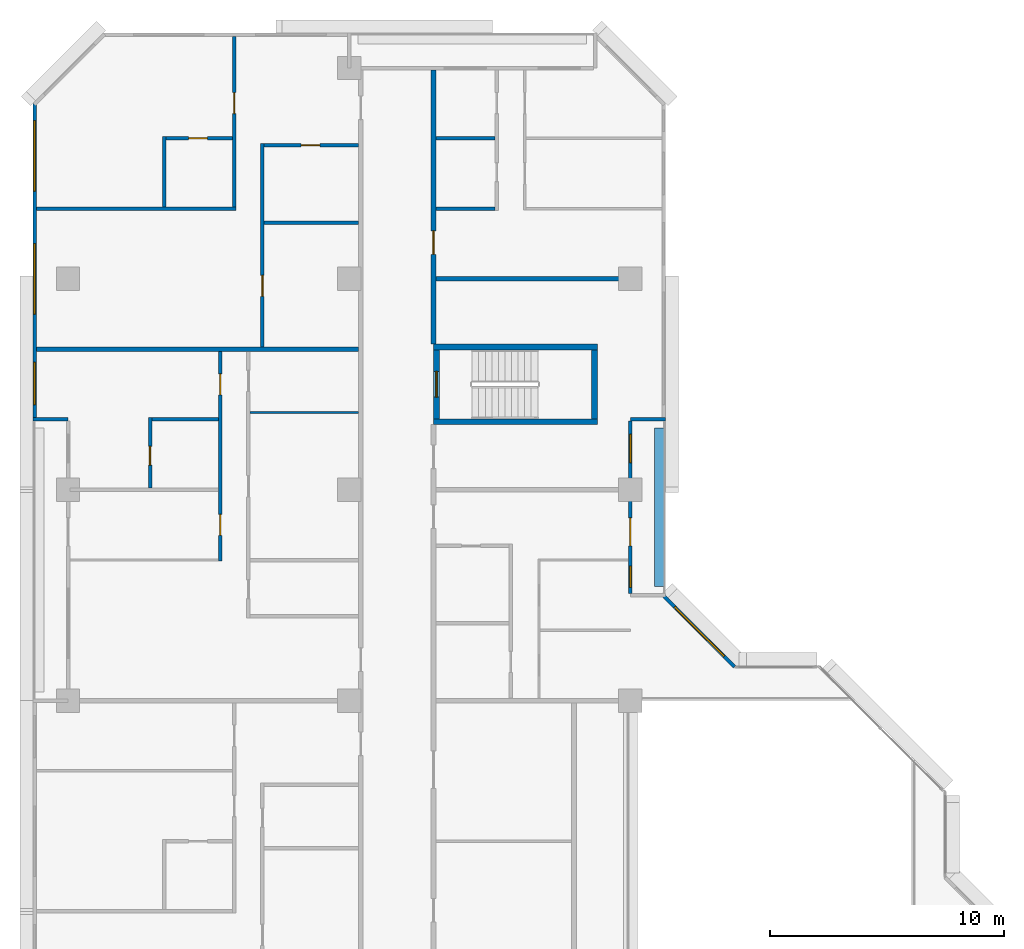
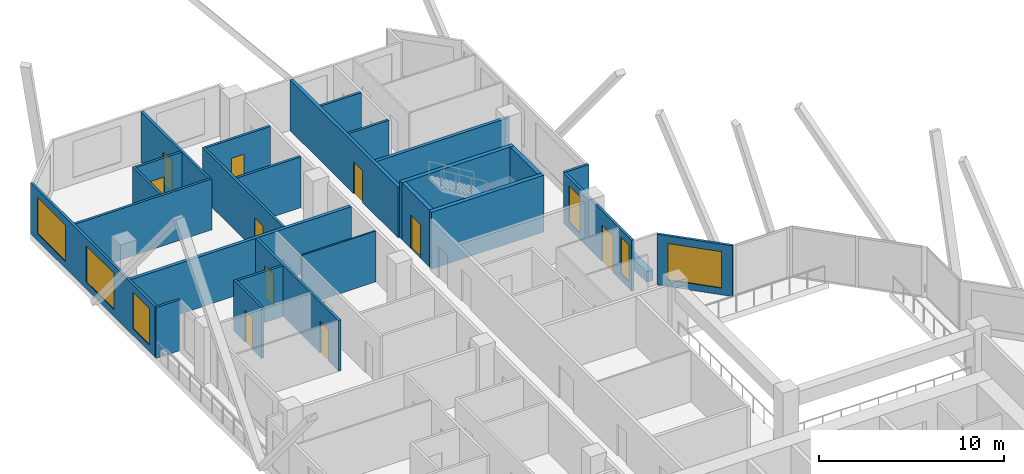
# One storey, part 10 of 15: 26 walls, 10 doors, 6 windows, 16 openings.
"""IFC4 building model written with IfcOpenShell, lengths in metres."""

from ifc_helpers import new_model, si_unit, direction, frame, frame_2d, origin, place, context, subcontext, project, spatial, rectangle, extrude, material, layer, layer_set, type_object, element, fill, save


model = new_model("IFC4")

# Units and contexts
model_context = context("Model", 3, precision=1e-05, world=origin(), true_north=direction((0.0, 1.0)))
body_context = subcontext(model_context, "Body", "Model", "MODEL_VIEW")
ifc_project = project(units=[si_unit("LENGTHUNIT", "METRE"), si_unit("AREAUNIT", "SQUARE_METRE"), si_unit("VOLUMEUNIT", "CUBIC_METRE"), si_unit("PLANEANGLEUNIT", "RADIAN"), si_unit("MASSUNIT", "GRAM", prefix="KILO")], contexts=[model_context])

# Site, building, storey
site_placement = place(None, origin())
site = spatial("IfcSite", under=ifc_project, at=site_placement, CompositionType="ELEMENT")
building_placement = place(site_placement, origin())
building = spatial("IfcBuilding", under=site, at=building_placement, Name="Chenar Terraces", CompositionType="ELEMENT")
storey_placement = place(building_placement, frame((0.0, 0.0, 129.39990234375)))
storey = spatial("IfcBuildingStorey", under=building, at=storey_placement, Name="L30", CompositionType="ELEMENT", Elevation=129.39990234375)

# Walls
ifc_material_1 = material(Name="Concrete C70/85", Category="concrete")
ifc_layer_1 = layer(ifc_material_1, 0.25)
ifc_layer_set_1 = layer_set([ifc_layer_1], Name="Concrete C70/85")
wall_type_1 = type_object("IfcWallType", Name="Core wall 250 Concrete C70/85", PredefinedType="SHEAR", material=ifc_layer_set_1)
for number, where, z_axis, x_axis, name in (
    (1, (15.60009765625, 47.89990234375, 0.0), (0.0, 0.0, 1.0), (1.0, 0.0, 0.0), "Core wall ST4_S L30"),
    (2, (15.60009765625, 51.10009765625, 0.0), (0.0, 0.0, 1.0), (1.0, 0.0, 0.0), "Core wall ST4_N L30"),
):
    element("IfcWall", number, at=place(storey_placement, frame(where, z_axis=z_axis, x_axis=x_axis)), inside=storey, type_object=wall_type_1, Name=name, PredefinedType="SHEAR", context=body_context, shape_type="SweptSolid", body=[
        extrude(rectangle(XDim=7.0, YDim=0.25, at=frame_2d((3.5, 0.0))), origin(), (0.0, 0.0, 1.0), 3.75),
    ])

# Wall, opening, door
wall_1_placement = place(storey_placement, frame((15.72509765625, 48.02490234375, 0.0), z_axis=(0.0, 0.0, 1.0), x_axis=(0.0, 1.0, 0.0)))
wall_1 = element("IfcWall", 3, at=wall_1_placement, inside=storey, type_object=wall_type_1, Name="Core wall ST4_W L30", PredefinedType="SHEAR", context=body_context, shape_type="SweptSolid", body=[
    extrude(rectangle(XDim=2.9501953125, YDim=0.25, at=frame_2d((1.47509765625, 0.0))), origin(), (0.0, 0.0, 1.0), 3.75),
])
opening_1_placement = place(wall_1_placement, frame((0.925048828125, 0.0, 0.0)))
opening_1 = element("IfcOpeningElement", 4, at=opening_1_placement, cuts=wall_1, Name="Opening DL30-C9", PredefinedType="OPENING", context=body_context, shape_type="SweptSolid", body=[
    extrude(rectangle(XDim=1.10009765625, YDim=2.199951171875, at=frame_2d((0.550048828125, 1.10009765625))), frame((0.0, 0.135009765625, 0.0), z_axis=(0.0, -1.0, 0.0), x_axis=(1.0, 0.0, 0.0)), (0.0, 0.0, 1.0), 0.27001953125),
])
ifc_material_2 = material(Name="Steel-framed fire-resisting door leaf", Category="steel")
door_type_1 = type_object("IfcDoorType", Name="Stair fire door FD60 1100 x 2200", OperationType="SINGLE_SWING_LEFT", PredefinedType="DOOR", material=ifc_material_2)
door_1_placement = place(opening_1_placement, frame((1.10009765625, 0.0, 0.0), z_axis=(0.0, 0.0, 1.0), x_axis=(-1.0, 0.0, 0.0)))
door_1 = element("IfcDoor", 5, at=door_1_placement, inside=storey, type_object=door_type_1, Name="Stair door DL30-C9", OperationType="SINGLE_SWING_RIGHT", OverallHeight=2.199951171875, OverallWidth=1.10009765625, PredefinedType="DOOR", context=body_context, shape_type="SweptSolid", body=[
    extrude(rectangle(XDim=1.10009765625, YDim=2.199951171875, at=frame_2d((0.550048828125, 1.10009765625))), frame((0.0, 0.02490234375, 0.0), z_axis=(0.0, -1.0, 0.0), x_axis=(1.0, 0.0, 0.0)), (0.0, 0.0, 1.0), 0.050048828125),
])
fill(opening_1, door_1)

# Wall
wall_2_placement = place(storey_placement, frame((22.47509765625, 48.02490234375, 0.0), z_axis=(0.0, 0.0, 1.0), x_axis=(0.0, 1.0, 0.0)))
element("IfcWall", 6, at=wall_2_placement, inside=storey, type_object=wall_type_1, Name="Core wall ST4_E L30", PredefinedType="SHEAR", context=body_context, shape_type="SweptSolid", body=[
    extrude(rectangle(XDim=2.9501953125, YDim=0.25, at=frame_2d((1.47509765625, 0.0))), origin(), (0.0, 0.0, 1.0), 3.75),
])

# Wall, opening, door
ifc_material_3 = material(Name="Gypsum board on steel studs with fire boards", Category="steel")
ifc_layer_2 = layer(ifc_material_3, 0.199951171875)
ifc_layer_set_2 = layer_set([ifc_layer_2], Name="Gypsum board on steel studs with fire boards")
wall_type_2 = type_object("IfcWallType", Name="Corridor wall 200", PredefinedType="PARTITIONING", material=ifc_layer_set_2)
wall_3_placement = place(storey_placement, frame((15.60009765625, 51.22509765625, 0.0), z_axis=(0.0, 0.0, 1.0), x_axis=(0.0, 1.0, 0.0)))
wall_3 = element("IfcWall", 7, at=wall_3_placement, inside=storey, type_object=wall_type_2, Name="Partition L30-038", PredefinedType="PARTITIONING", context=body_context, shape_type="SweptSolid", body=[
    extrude(rectangle(XDim=11.700927734375, YDim=0.199951171875, at=frame_2d((5.8505859375, 0.0))), origin(), (0.0, 0.0, 1.0), 3.35009765625),
])
opening_2_placement = place(wall_3_placement, frame((3.824951171875, 0.0, 0.0)))
opening_2 = element("IfcOpeningElement", 8, at=opening_2_placement, cuts=wall_3, Name="Opening DL30-37", PredefinedType="OPENING", context=body_context, shape_type="SweptSolid", body=[
    extrude(rectangle(XDim=1.0, YDim=2.10009765625, at=frame_2d((0.5, 1.050048828125))), frame((0.0, 0.10986328125, 0.0), z_axis=(0.0, -1.0, 0.0), x_axis=(1.0, 0.0, 0.0)), (0.0, 0.0, 1.0), 0.219970703125),
])
ifc_material_4 = material(Name="Steel-framed fire-resisting door leaf", Category="steel")
door_type_2 = type_object("IfcDoorType", Name="Fire door FD30S 1000 x 2100", OperationType="SINGLE_SWING_LEFT", PredefinedType="DOOR", material=ifc_material_4)
door_2_placement = place(opening_2_placement, frame((1.0, 0.0, 0.0), z_axis=(0.0, 0.0, 1.0), x_axis=(-1.0, 0.0, 0.0)))
door_2 = element("IfcDoor", 9, at=door_2_placement, inside=storey, type_object=door_type_2, Name="Door DL30-37", OperationType="SINGLE_SWING_LEFT", OverallHeight=2.10009765625, OverallWidth=1.0, PredefinedType="DOOR", context=body_context, shape_type="SweptSolid", body=[
    extrude(rectangle(XDim=1.0, YDim=2.10009765625, at=frame_2d((0.5, 1.050048828125))), frame((0.0, 0.02490234375, 0.0), z_axis=(0.0, -1.0, 0.0), x_axis=(1.0, 0.0, 0.0)), (0.0, 0.0, 1.0), 0.050048828125),
])
fill(opening_2, door_2)

# Wall, openings, windows
ifc_material_5 = material(Name="Aluminium framed glazing", Category="aluminium")
ifc_layer_3 = layer(ifc_material_5, 0.14990234375)
ifc_layer_set_3 = layer_set([ifc_layer_3], Name="Aluminium framed glazing")
wall_type_3 = type_object("IfcWallType", Name="Glazed flush facade wall 150", PredefinedType="SOLIDWALL", material=ifc_layer_set_3)
wall_4_placement = place(storey_placement, frame((-1.425048828125, 61.5, 0.0), z_axis=(0.0, 0.0, 1.0), x_axis=(0.0, -1.0, 0.0)))
wall_4 = element("IfcWall", 10, at=wall_4_placement, inside=storey, type_object=wall_type_3, Name="Glazed flush facade wall", PredefinedType="SOLIDWALL", context=body_context, shape_type="SweptSolid", body=[
    extrude(rectangle(XDim=13.425048828125, YDim=0.14990234375, at=frame_2d((6.71240234375, 0.0))), origin(), (0.0, 0.0, 1.0), 3.35009765625),
])
opening_3_placement = place(wall_4_placement, frame((0.75, 0.0, 0.449951171875)))
opening_3 = element("IfcOpeningElement", 11, at=opening_3_placement, cuts=wall_4, Name="Opening W300x240", PredefinedType="OPENING", context=body_context, shape_type="SweptSolid", body=[
    extrude(rectangle(XDim=3.0, YDim=2.39990234375, at=frame_2d((1.5, 1.199951171875))), frame((0.0, 0.0849609375, 0.0), z_axis=(0.0, -1.0, 0.0), x_axis=(1.0, 0.0, 0.0)), (0.0, 0.0, 1.0), 0.169921875),
])
opening_4_placement = place(wall_4_placement, frame((6.0, 0.0, 0.449951171875)))
opening_4 = element("IfcOpeningElement", 12, at=opening_4_placement, cuts=wall_4, Name="Opening W300x240", PredefinedType="OPENING", context=body_context, shape_type="SweptSolid", body=[
    extrude(rectangle(XDim=3.0, YDim=2.39990234375, at=frame_2d((1.5, 1.199951171875))), frame((0.0, 0.0849609375, 0.0), z_axis=(0.0, -1.0, 0.0), x_axis=(1.0, 0.0, 0.0)), (0.0, 0.0, 1.0), 0.169921875),
])
opening_5_placement = place(wall_4_placement, frame((11.0625, 0.0, 0.449951171875)))
opening_5 = element("IfcOpeningElement", 13, at=opening_5_placement, cuts=wall_4, Name="Opening W180x240", PredefinedType="OPENING", context=body_context, shape_type="SweptSolid", body=[
    extrude(rectangle(XDim=1.800048828125, YDim=2.39990234375, at=frame_2d((0.89990234375, 1.199951171875))), frame((0.0, 0.0849609375, 0.0), z_axis=(0.0, -1.0, 0.0), x_axis=(1.0, 0.0, 0.0)), (0.0, 0.0, 1.0), 0.169921875),
])
ifc_material_6 = material(Name="Low emissivity double glazing, aluminium frame", Category="aluminium")
window_type_1 = type_object("IfcWindowType", Name="Fixed light 1800 x 2400", PartitioningType="SINGLE_PANEL", PredefinedType="WINDOW", material=ifc_material_6)
window_1_placement = place(opening_5_placement, origin())
window_1 = element("IfcWindow", 14, at=window_1_placement, inside=storey, type_object=window_type_1, Name="Window", OverallHeight=2.39990234375, OverallWidth=1.800048828125, PartitioningType="SINGLE_PANEL", PredefinedType="WINDOW", context=body_context, shape_type="SweptSolid", body=[
    extrude(rectangle(XDim=1.800048828125, YDim=2.39990234375, at=frame_2d((0.89990234375, 1.199951171875))), frame((0.0, 0.030029296875, 0.0), z_axis=(0.0, -1.0, 0.0), x_axis=(1.0, 0.0, 0.0)), (0.0, 0.0, 1.0), 0.06005859375),
])
fill(opening_5, window_1)
ifc_material_7 = material(Name="Low emissivity double glazing, aluminium frame", Category="aluminium")
window_type_2 = type_object("IfcWindowType", Name="Fixed light 3000 x 2400", PartitioningType="SINGLE_PANEL", PredefinedType="WINDOW", material=ifc_material_7)
window_2_placement = place(opening_3_placement, origin())
window_2 = element("IfcWindow", 15, at=window_2_placement, inside=storey, type_object=window_type_2, Name="Window", OverallHeight=2.39990234375, OverallWidth=3.0, PartitioningType="SINGLE_PANEL", PredefinedType="WINDOW", context=body_context, shape_type="SweptSolid", body=[
    extrude(rectangle(XDim=3.0, YDim=2.39990234375, at=frame_2d((1.5, 1.199951171875))), frame((0.0, 0.030029296875, 0.0), z_axis=(0.0, -1.0, 0.0), x_axis=(1.0, 0.0, 0.0)), (0.0, 0.0, 1.0), 0.06005859375),
])
fill(opening_3, window_2)
window_3_placement = place(opening_4_placement, origin())
window_3 = element("IfcWindow", 16, at=window_3_placement, inside=storey, type_object=window_type_2, Name="Window", OverallHeight=2.39990234375, OverallWidth=3.0, PartitioningType="SINGLE_PANEL", PredefinedType="WINDOW", context=body_context, shape_type="SweptSolid", body=[
    extrude(rectangle(XDim=3.0, YDim=2.39990234375, at=frame_2d((1.5, 1.199951171875))), frame((0.0, 0.030029296875, 0.0), z_axis=(0.0, -1.0, 0.0), x_axis=(1.0, 0.0, 0.0)), (0.0, 0.0, 1.0), 0.06005859375),
])
fill(opening_4, window_3)

# Wall, openings, windows, door
ifc_material_8 = material(Name="Aluminium framed glazing", Category="aluminium")
ifc_layer_4 = layer(ifc_material_8, 0.14990234375)
ifc_layer_set_4 = layer_set([ifc_layer_4], Name="Aluminium framed glazing")
wall_type_4 = type_object("IfcWallType", Name="Glazed loggia back wall 150", PredefinedType="SOLIDWALL", material=ifc_layer_set_4)
wall_5_placement = place(storey_placement, frame((24.0, 40.574951171875, 0.0), z_axis=(0.0, 0.0, 1.0), x_axis=(0.0, 1.0, 0.0)))
wall_5 = element("IfcWall", 17, at=wall_5_placement, inside=storey, type_object=wall_type_4, Name="Glazed loggia back wall", PredefinedType="SOLIDWALL", context=body_context, shape_type="SweptSolid", body=[
    extrude(rectangle(XDim=7.35009765625, YDim=0.14990234375, at=frame_2d((3.675048828125, 0.0))), origin(), (0.0, 0.0, 1.0), 3.35009765625),
])
opening_6_placement = place(wall_5_placement, frame((0.262451171875, 0.0, 0.449951171875)))
opening_6 = element("IfcOpeningElement", 18, at=opening_6_placement, cuts=wall_5, Name="Opening W90x240", PredefinedType="OPENING", context=body_context, shape_type="SweptSolid", body=[
    extrude(rectangle(XDim=0.89990234375, YDim=2.39990234375, at=frame_2d((0.449951171875, 1.199951171875))), frame((0.0, 0.0849609375, 0.0), z_axis=(0.0, -1.0, 0.0), x_axis=(1.0, 0.0, 0.0)), (0.0, 0.0, 1.0), 0.169921875),
])
opening_7_placement = place(wall_5_placement, frame((2.02490234375, 0.0, 0.0)))
opening_7 = element("IfcOpeningElement", 19, at=opening_7_placement, cuts=wall_5, Name="Opening DL30-G2", PredefinedType="OPENING", context=body_context, shape_type="SweptSolid", body=[
    extrude(rectangle(XDim=1.199951171875, YDim=2.39990234375, at=frame_2d((0.60009765625, 1.199951171875))), frame((0.0, 0.0849609375, 0.0), z_axis=(0.0, -1.0, 0.0), x_axis=(1.0, 0.0, 0.0)), (0.0, 0.0, 1.0), 0.169921875),
])
opening_8_placement = place(wall_5_placement, frame((5.58740234375, 0.0, 0.449951171875)))
opening_8 = element("IfcOpeningElement", 20, at=opening_8_placement, cuts=wall_5, Name="Opening W120x240", PredefinedType="OPENING", context=body_context, shape_type="SweptSolid", body=[
    extrude(rectangle(XDim=1.199951171875, YDim=2.39990234375, at=frame_2d((0.60009765625, 1.199951171875))), frame((0.0, 0.0849609375, 0.0), z_axis=(0.0, -1.0, 0.0), x_axis=(1.0, 0.0, 0.0)), (0.0, 0.0, 1.0), 0.169921875),
])
ifc_material_9 = material(Name="Low emissivity double glazing, aluminium frame", Category="aluminium")
window_type_3 = type_object("IfcWindowType", Name="Fixed light 1200 x 2400", PartitioningType="SINGLE_PANEL", PredefinedType="WINDOW", material=ifc_material_9)
window_4_placement = place(opening_8_placement, origin())
window_4 = element("IfcWindow", 21, at=window_4_placement, inside=storey, type_object=window_type_3, Name="Window", OverallHeight=2.39990234375, OverallWidth=1.199951171875, PartitioningType="SINGLE_PANEL", PredefinedType="WINDOW", context=body_context, shape_type="SweptSolid", body=[
    extrude(rectangle(XDim=1.199951171875, YDim=2.39990234375, at=frame_2d((0.60009765625, 1.199951171875))), frame((0.0, 0.030029296875, 0.0), z_axis=(0.0, -1.0, 0.0), x_axis=(1.0, 0.0, 0.0)), (0.0, 0.0, 1.0), 0.06005859375),
])
fill(opening_8, window_4)
ifc_material_10 = material(Name="Low emissivity double glazing, aluminium frame", Category="aluminium")
window_type_4 = type_object("IfcWindowType", Name="Fixed light 900 x 2400", PartitioningType="SINGLE_PANEL", PredefinedType="WINDOW", material=ifc_material_10)
window_5_placement = place(opening_6_placement, origin())
window_5 = element("IfcWindow", 22, at=window_5_placement, inside=storey, type_object=window_type_4, Name="Window", OverallHeight=2.39990234375, OverallWidth=0.89990234375, PartitioningType="SINGLE_PANEL", PredefinedType="WINDOW", context=body_context, shape_type="SweptSolid", body=[
    extrude(rectangle(XDim=0.89990234375, YDim=2.39990234375, at=frame_2d((0.449951171875, 1.199951171875))), frame((0.0, 0.030029296875, 0.0), z_axis=(0.0, -1.0, 0.0), x_axis=(1.0, 0.0, 0.0)), (0.0, 0.0, 1.0), 0.06005859375),
])
fill(opening_6, window_5)
ifc_material_11 = material(Name="Low emissivity double glazing, aluminium frame", Category="aluminium")
door_type_3 = type_object("IfcDoorType", Name="Loggia glazed double door 1200 x 2400", OperationType="DOUBLE_DOOR_SINGLE_SWING", PredefinedType="DOOR", material=ifc_material_11)
door_3_placement = place(opening_7_placement, frame((1.199951171875, 0.0, 0.0), z_axis=(0.0, 0.0, 1.0), x_axis=(-1.0, 0.0, 0.0)))
door_3 = element("IfcDoor", 23, at=door_3_placement, inside=storey, type_object=door_type_3, Name="Loggia glazed door", OperationType="DOUBLE_DOOR_SINGLE_SWING", OverallHeight=2.39990234375, OverallWidth=1.199951171875, PredefinedType="DOOR", context=body_context, shape_type="SweptSolid", body=[
    extrude(rectangle(XDim=1.199951171875, YDim=2.39990234375, at=frame_2d((0.60009765625, 1.199951171875))), frame((0.0, 0.02490234375, 0.0), z_axis=(0.0, -1.0, 0.0), x_axis=(1.0, 0.0, 0.0)), (0.0, 0.0, 1.0), 0.050048828125),
])
fill(opening_7, door_3)

# Walls
ifc_material_12 = material(Name="Gypsum board on steel studs", Category="steel")
ifc_layer_5 = layer(ifc_material_12, 0.10009765625)
ifc_layer_set_5 = layer_set([ifc_layer_5], Name="Gypsum board on steel studs")
wall_type_5 = type_object("IfcWallType", Name="Gypsum partition 100", PredefinedType="PARTITIONING", material=ifc_layer_set_5)
wall_6_placement = place(storey_placement, frame((7.77490234375, 48.300048828125, 0.0), z_axis=(0.0, 0.0, 1.0), x_axis=(1.0, 0.0, 0.0)))
element("IfcWall", 24, at=wall_6_placement, inside=storey, type_object=wall_type_5, Name="Partition L30-023", PredefinedType="PARTITIONING", context=body_context, shape_type="SweptSolid", body=[
    extrude(rectangle(XDim=4.625, YDim=0.10009765625, at=frame_2d((2.3125, 0.0))), origin(), (0.0, 0.0, 1.0), 3.35009765625),
])
ifc_material_13 = material(Name="Terracotta cladding on insulated backing", Category="masonry")
ifc_layer_6 = layer(ifc_material_13, 0.14990234375)
ifc_layer_set_6 = layer_set([ifc_layer_6], Name="Terracotta cladding on insulated backing")
wall_type_6 = type_object("IfcWallType", Name="Loggia return wall 150", PredefinedType="SOLIDWALL", material=ifc_layer_set_6)
for number, where, z_axis, x_axis, name in (
    (25, (25.5, 48.0, 0.0), (0.0, 0.0, 1.0), (-1.0, 0.0, 0.0), "Loggia return wall"),
    (26, (-1.5, 48.0, 0.0), (0.0, 0.0, 1.0), (1.0, 0.0, 0.0), "Loggia return wall"),
):
    element("IfcWall", number, at=place(storey_placement, frame(where, z_axis=z_axis, x_axis=x_axis)), inside=storey, type_object=wall_type_6, Name=name, PredefinedType="SOLIDWALL", context=body_context, shape_type="SweptSolid", body=[
        extrude(rectangle(XDim=1.5, YDim=0.14990234375, at=frame_2d((0.75, 0.0))), origin(), (0.0, 0.0, 1.0), 3.35009765625),
    ])

# Wall, opening, window
ifc_material_14 = material(Name="Terracotta cladding on insulated backing", Category="masonry")
ifc_layer_7 = layer(ifc_material_14, 0.14990234375)
ifc_layer_set_7 = layer_set([ifc_layer_7], Name="Terracotta cladding on insulated backing")
wall_type_7 = type_object("IfcWallType", Name="Terracotta rainscreen wall 150", PredefinedType="SOLIDWALL", material=ifc_layer_set_7)
wall_7_placement = place(storey_placement, frame((28.447021484375, 37.447021484375, 0.0), z_axis=(0.0, 0.0, 1.0), x_axis=(-0.707106781187, 0.707106781187, 0.0)))
wall_7 = element("IfcWall", 27, at=wall_7_placement, inside=storey, type_object=wall_type_7, Name="Terracotta rainscreen wall", PredefinedType="SOLIDWALL", context=body_context, shape_type="SweptSolid", body=[
    extrude(rectangle(XDim=4.24267578125, YDim=0.14990234375, at=frame_2d((2.121337890625, 0.0))), origin(), (0.0, 0.0, 1.0), 3.35009765625),
])
opening_9_placement = place(wall_7_placement, frame((0.621337890625, 0.0, 0.449951171875)))
opening_9 = element("IfcOpeningElement", 28, at=opening_9_placement, cuts=wall_7, Name="Opening W300x240", PredefinedType="OPENING", context=body_context, shape_type="SweptSolid", body=[
    extrude(rectangle(XDim=3.0, YDim=2.39990234375, at=frame_2d((1.5, 1.199951171875))), frame((0.0, 0.0849609375, 0.0), z_axis=(0.0, -1.0, 0.0), x_axis=(1.0, 0.0, 0.0)), (0.0, 0.0, 1.0), 0.169921875),
])
window_6_placement = place(opening_9_placement, origin())
window_6 = element("IfcWindow", 29, at=window_6_placement, inside=storey, type_object=window_type_2, Name="Window", OverallHeight=2.39990234375, OverallWidth=3.0, PartitioningType="SINGLE_PANEL", PredefinedType="WINDOW", context=body_context, shape_type="SweptSolid", body=[
    extrude(rectangle(XDim=3.0, YDim=2.39990234375, at=frame_2d((1.5, 1.199951171875))), frame((0.0, 0.030029296875, 0.0), z_axis=(0.0, -1.0, 0.0), x_axis=(1.0, 0.0, 0.0)), (0.0, 0.0, 1.0), 0.06005859375),
])
fill(opening_9, window_6)

# Walls
ifc_material_15 = material(Name="Twin gypsum board on steel studs with mineral wool", Category="steel")
ifc_layer_8 = layer(ifc_material_15, 0.199951171875)
ifc_layer_set_8 = layer_set([ifc_layer_8], Name="Twin gypsum board on steel studs with mineral wool")
wall_type_8 = type_object("IfcWallType", Name="Unit demising wall 200", PredefinedType="PARTITIONING", material=ifc_layer_set_8)
wall_8_placement = place(storey_placement, frame((-1.35009765625, 51.0, 0.0), z_axis=(0.0, 0.0, 1.0), x_axis=(1.0, 0.0, 0.0)))
element("IfcWall", 30, at=wall_8_placement, inside=storey, type_object=wall_type_8, Name="Partition L30-004", PredefinedType="PARTITIONING", context=body_context, shape_type="SweptSolid", body=[
    extrude(rectangle(XDim=13.75, YDim=0.199951171875, at=frame_2d((6.875, 0.0))), origin(), (0.0, 0.0, 1.0), 3.35009765625),
])
wall_9_placement = place(storey_placement, frame((15.699951171875, 54.0, 0.0), z_axis=(0.0, 0.0, 1.0), x_axis=(1.0, 0.0, 0.0)))
element("IfcWall", 31, at=wall_9_placement, inside=storey, type_object=wall_type_8, Name="Partition L30-045", PredefinedType="PARTITIONING", context=body_context, shape_type="SweptSolid", body=[
    extrude(rectangle(XDim=8.300048828125, YDim=0.199951171875, at=frame_2d((4.14990234375, 0.0))), origin(), (0.0, 0.0, 1.0), 3.35009765625),
])
ifc_material_16 = material(Name="GRP planter trough")
ifc_layer_9 = layer(ifc_material_16, 0.39990234375)
ifc_layer_set_9 = layer_set([ifc_layer_9], Name="GRP planter trough")
wall_type_9 = type_object("IfcWallType", Name="Vertical greenery planter 400", PredefinedType="SOLIDWALL", material=ifc_layer_set_9)
wall_10_placement = place(storey_placement, frame((25.22900390625, 40.875, 0.0), z_axis=(0.0, 0.0, 1.0), x_axis=(0.0, 1.0, 0.0)))
element("IfcWall", 32, at=wall_10_placement, inside=storey, type_object=wall_type_9, Name="Vertical greenery planter", PredefinedType="SOLIDWALL", context=body_context, shape_type="SweptSolid", body=[
    extrude(rectangle(XDim=6.75, YDim=0.39990234375, at=frame_2d((3.375, 0.0))), origin(), (0.0, 0.0, 1.0), 0.7001953125),
])
ifc_material_17 = material(Name="Moisture-resistant gypsum board on steel studs", Category="steel")
ifc_layer_10 = layer(ifc_material_17, 0.14990234375)
ifc_layer_set_10 = layer_set([ifc_layer_10], Name="Moisture-resistant gypsum board on steel studs")
wall_type_10 = type_object("IfcWallType", Name="Wet-room partition 150", PredefinedType="PARTITIONING", material=ifc_layer_set_10)
wall_11_placement = place(storey_placement, frame((-1.35009765625, 57.0, 0.0), z_axis=(0.0, 0.0, 1.0), x_axis=(1.0, 0.0, 0.0)))
element("IfcWall", 33, at=wall_11_placement, inside=storey, type_object=wall_type_10, Name="Partition L30-005", PredefinedType="PARTITIONING", context=body_context, shape_type="SweptSolid", body=[
    extrude(rectangle(XDim=8.525146484375, YDim=0.14990234375, at=frame_2d((4.2626953125, 0.0))), origin(), (0.0, 0.0, 1.0), 3.35009765625),
])

# Wall, opening, door
wall_12_placement = place(storey_placement, frame((3.5, 45.074951171875, 0.0), z_axis=(0.0, 0.0, 1.0), x_axis=(0.0, 1.0, 0.0)))
wall_12 = element("IfcWall", 34, at=wall_12_placement, inside=storey, type_object=wall_type_10, Name="Partition L30-011", PredefinedType="PARTITIONING", context=body_context, shape_type="SweptSolid", body=[
    extrude(rectangle(XDim=3.0, YDim=0.14990234375, at=frame_2d((1.5, 0.0))), origin(), (0.0, 0.0, 1.0), 3.35009765625),
])
opening_10_placement = place(wall_12_placement, frame((0.97509765625, 0.0, 0.0)))
opening_10 = element("IfcOpeningElement", 35, at=opening_10_placement, cuts=wall_12, Name="Opening DL30-41", PredefinedType="OPENING", context=body_context, shape_type="SweptSolid", body=[
    extrude(rectangle(XDim=0.800048828125, YDim=2.10009765625, at=frame_2d((0.39990234375, 1.050048828125))), frame((0.0, 0.0849609375, 0.0), z_axis=(0.0, -1.0, 0.0), x_axis=(1.0, 0.0, 0.0)), (0.0, 0.0, 1.0), 0.169921875),
])
ifc_material_18 = material(Name="Veneered timber door leaf", Category="wood")
door_type_4 = type_object("IfcDoorType", Name="Door 800 x 2100", OperationType="SINGLE_SWING_LEFT", PredefinedType="DOOR", material=ifc_material_18)
door_4_placement = place(opening_10_placement, frame((0.800048828125, 0.0, 0.0), z_axis=(0.0, 0.0, 1.0), x_axis=(-1.0, 0.0, 0.0)))
door_4 = element("IfcDoor", 36, at=door_4_placement, inside=storey, type_object=door_type_4, Name="Door DL30-41", OperationType="SINGLE_SWING_RIGHT", OverallHeight=2.10009765625, OverallWidth=0.800048828125, PredefinedType="DOOR", context=body_context, shape_type="SweptSolid", body=[
    extrude(rectangle(XDim=0.800048828125, YDim=2.10009765625, at=frame_2d((0.39990234375, 1.050048828125))), frame((0.0, 0.02490234375, 0.0), z_axis=(0.0, -1.0, 0.0), x_axis=(1.0, 0.0, 0.0)), (0.0, 0.0, 1.0), 0.050048828125),
])
fill(opening_10, door_4)

# Walls
wall_13_placement = place(storey_placement, frame((3.574951171875, 48.0, 0.0), z_axis=(0.0, 0.0, 1.0), x_axis=(1.0, 0.0, 0.0)))
element("IfcWall", 37, at=wall_13_placement, inside=storey, type_object=wall_type_10, Name="Partition L30-012", PredefinedType="PARTITIONING", context=body_context, shape_type="SweptSolid", body=[
    extrude(rectangle(XDim=2.85009765625, YDim=0.14990234375, at=frame_2d((1.425048828125, 0.0))), origin(), (0.0, 0.0, 1.0), 3.35009765625),
])
wall_14_placement = place(storey_placement, frame((4.10009765625, 57.074951171875, 0.0), z_axis=(0.0, 0.0, 1.0), x_axis=(0.0, 1.0, 0.0)))
element("IfcWall", 38, at=wall_14_placement, inside=storey, type_object=wall_type_10, Name="Partition L30-014", PredefinedType="PARTITIONING", context=body_context, shape_type="SweptSolid", body=[
    extrude(rectangle(XDim=3.0, YDim=0.14990234375, at=frame_2d((1.5, 0.0))), origin(), (0.0, 0.0, 1.0), 3.35009765625),
])

# Wall, opening, door
wall_15_placement = place(storey_placement, frame((4.175048828125, 60.0, 0.0), z_axis=(0.0, 0.0, 1.0), x_axis=(1.0, 0.0, 0.0)))
wall_15 = element("IfcWall", 39, at=wall_15_placement, inside=storey, type_object=wall_type_10, Name="Partition L30-016", PredefinedType="PARTITIONING", context=body_context, shape_type="SweptSolid", body=[
    extrude(rectangle(XDim=2.849853515625, YDim=0.14990234375, at=frame_2d((1.4248046875, 0.0))), origin(), (0.0, 0.0, 1.0), 3.35009765625),
])
opening_11_placement = place(wall_15_placement, frame((0.97509765625, 0.0, 0.0)))
opening_11 = element("IfcOpeningElement", 40, at=opening_11_placement, cuts=wall_15, Name="Opening DL30-47", PredefinedType="OPENING", context=body_context, shape_type="SweptSolid", body=[
    extrude(rectangle(XDim=0.800048828125, YDim=2.10009765625, at=frame_2d((0.39990234375, 1.050048828125))), frame((0.0, 0.0849609375, 0.0), z_axis=(0.0, -1.0, 0.0), x_axis=(1.0, 0.0, 0.0)), (0.0, 0.0, 1.0), 0.169921875),
])
door_5_placement = place(opening_11_placement, frame((0.800048828125, 0.0, 0.0), z_axis=(0.0, 0.0, 1.0), x_axis=(-1.0, 0.0, 0.0)))
door_5 = element("IfcDoor", 41, at=door_5_placement, inside=storey, type_object=door_type_4, Name="Door DL30-47", OperationType="SINGLE_SWING_RIGHT", OverallHeight=2.10009765625, OverallWidth=0.800048828125, PredefinedType="DOOR", context=body_context, shape_type="SweptSolid", body=[
    extrude(rectangle(XDim=0.800048828125, YDim=2.10009765625, at=frame_2d((0.39990234375, 1.050048828125))), frame((0.0, 0.02490234375, 0.0), z_axis=(0.0, -1.0, 0.0), x_axis=(1.0, 0.0, 0.0)), (0.0, 0.0, 1.0), 0.050048828125),
])
fill(opening_11, door_5)

# Wall, openings, doors
wall_16_placement = place(storey_placement, frame((6.5, 41.949951171875, 0.0), z_axis=(0.0, 0.0, 1.0), x_axis=(0.0, 1.0, 0.0)))
wall_16 = element("IfcWall", 42, at=wall_16_placement, inside=storey, type_object=wall_type_10, Name="Partition L30-017", PredefinedType="PARTITIONING", context=body_context, shape_type="SweptSolid", body=[
    extrude(rectangle(XDim=8.949951171875, YDim=0.14990234375, at=frame_2d((4.47509765625, 0.0))), origin(), (0.0, 0.0, 1.0), 3.35009765625),
])
opening_12_placement = place(wall_16_placement, frame((1.10009765625, 0.0, 0.0)))
opening_12 = element("IfcOpeningElement", 43, at=opening_12_placement, cuts=wall_16, Name="Opening DL30-39", PredefinedType="OPENING", context=body_context, shape_type="SweptSolid", body=[
    extrude(rectangle(XDim=0.89990234375, YDim=2.10009765625, at=frame_2d((0.449951171875, 1.050048828125))), frame((0.0, 0.0849609375, 0.0), z_axis=(0.0, -1.0, 0.0), x_axis=(1.0, 0.0, 0.0)), (0.0, 0.0, 1.0), 0.169921875),
])
opening_13_placement = place(wall_16_placement, frame((7.10009765625, 0.0, 0.0)))
opening_13 = element("IfcOpeningElement", 44, at=opening_13_placement, cuts=wall_16, Name="Opening DL30-40", PredefinedType="OPENING", context=body_context, shape_type="SweptSolid", body=[
    extrude(rectangle(XDim=0.89990234375, YDim=2.10009765625, at=frame_2d((0.449951171875, 1.050048828125))), frame((0.0, 0.0849609375, 0.0), z_axis=(0.0, -1.0, 0.0), x_axis=(1.0, 0.0, 0.0)), (0.0, 0.0, 1.0), 0.169921875),
])
ifc_material_19 = material(Name="Veneered timber door leaf", Category="wood")
door_type_5 = type_object("IfcDoorType", Name="Door 900 x 2100", OperationType="SINGLE_SWING_LEFT", PredefinedType="DOOR", material=ifc_material_19)
door_6_placement = place(opening_12_placement, origin())
door_6 = element("IfcDoor", 45, at=door_6_placement, inside=storey, type_object=door_type_5, Name="Door DL30-39", OperationType="SINGLE_SWING_LEFT", OverallHeight=2.10009765625, OverallWidth=0.89990234375, PredefinedType="DOOR", context=body_context, shape_type="SweptSolid", body=[
    extrude(rectangle(XDim=0.89990234375, YDim=2.10009765625, at=frame_2d((0.449951171875, 1.050048828125))), frame((0.0, 0.02490234375, 0.0), z_axis=(0.0, -1.0, 0.0), x_axis=(1.0, 0.0, 0.0)), (0.0, 0.0, 1.0), 0.050048828125),
])
fill(opening_12, door_6)
door_7_placement = place(opening_13_placement, origin())
door_7 = element("IfcDoor", 46, at=door_7_placement, inside=storey, type_object=door_type_5, Name="Door DL30-40", OperationType="SINGLE_SWING_LEFT", OverallHeight=2.10009765625, OverallWidth=0.89990234375, PredefinedType="DOOR", context=body_context, shape_type="SweptSolid", body=[
    extrude(rectangle(XDim=0.89990234375, YDim=2.10009765625, at=frame_2d((0.449951171875, 1.050048828125))), frame((0.0, 0.02490234375, 0.0), z_axis=(0.0, -1.0, 0.0), x_axis=(1.0, 0.0, 0.0)), (0.0, 0.0, 1.0), 0.050048828125),
])
fill(opening_13, door_7)

# Wall, opening, door
wall_17_placement = place(storey_placement, frame((7.10009765625, 57.074951171875, 0.0), z_axis=(0.0, 0.0, 1.0), x_axis=(0.0, 1.0, 0.0)))
wall_17 = element("IfcWall", 47, at=wall_17_placement, inside=storey, type_object=wall_type_10, Name="Partition L30-019", PredefinedType="PARTITIONING", context=body_context, shape_type="SweptSolid", body=[
    extrude(rectangle(XDim=7.275146484375, YDim=0.14990234375, at=frame_2d((3.6376953125, 0.0))), origin(), (0.0, 0.0, 1.0), 3.35009765625),
])
opening_14_placement = place(wall_17_placement, frame((3.97509765625, 0.0, 0.0)))
opening_14 = element("IfcOpeningElement", 48, at=opening_14_placement, cuts=wall_17, Name="Opening DL30-46", PredefinedType="OPENING", context=body_context, shape_type="SweptSolid", body=[
    extrude(rectangle(XDim=0.89990234375, YDim=2.10009765625, at=frame_2d((0.449951171875, 1.050048828125))), frame((0.0, 0.0849609375, 0.0), z_axis=(0.0, -1.0, 0.0), x_axis=(1.0, 0.0, 0.0)), (0.0, 0.0, 1.0), 0.169921875),
])
door_8_placement = place(opening_14_placement, origin())
door_8 = element("IfcDoor", 49, at=door_8_placement, inside=storey, type_object=door_type_5, Name="Door DL30-46", OperationType="SINGLE_SWING_LEFT", OverallHeight=2.10009765625, OverallWidth=0.89990234375, PredefinedType="DOOR", context=body_context, shape_type="SweptSolid", body=[
    extrude(rectangle(XDim=0.89990234375, YDim=2.10009765625, at=frame_2d((0.449951171875, 1.050048828125))), frame((0.0, 0.02490234375, 0.0), z_axis=(0.0, -1.0, 0.0), x_axis=(1.0, 0.0, 0.0)), (0.0, 0.0, 1.0), 0.050048828125),
])
fill(opening_14, door_8)

wall_18_placement = place(storey_placement, frame((8.300048828125, 51.10009765625, 0.0), z_axis=(0.0, 0.0, 1.0), x_axis=(0.0, 1.0, 0.0)))
wall_18 = element("IfcWall", 50, at=wall_18_placement, inside=storey, type_object=wall_type_10, Name="Partition L30-025", PredefinedType="PARTITIONING", context=body_context, shape_type="SweptSolid", body=[
    extrude(rectangle(XDim=8.6748046875, YDim=0.14990234375, at=frame_2d((4.33740234375, 0.0))), origin(), (0.0, 0.0, 1.0), 3.35009765625),
])
opening_15_placement = place(wall_18_placement, frame((2.14990234375, 0.0, 0.0)))
opening_15 = element("IfcOpeningElement", 51, at=opening_15_placement, cuts=wall_18, Name="Opening DL30-48", PredefinedType="OPENING", context=body_context, shape_type="SweptSolid", body=[
    extrude(rectangle(XDim=0.89990234375, YDim=2.10009765625, at=frame_2d((0.449951171875, 1.050048828125))), frame((0.0, 0.0849609375, 0.0), z_axis=(0.0, -1.0, 0.0), x_axis=(1.0, 0.0, 0.0)), (0.0, 0.0, 1.0), 0.169921875),
])
door_9_placement = place(opening_15_placement, frame((0.89990234375, 0.0, 0.0), z_axis=(0.0, 0.0, 1.0), x_axis=(-1.0, 0.0, 0.0)))
door_9 = element("IfcDoor", 52, at=door_9_placement, inside=storey, type_object=door_type_5, Name="Door DL30-48", OperationType="SINGLE_SWING_LEFT", OverallHeight=2.10009765625, OverallWidth=0.89990234375, PredefinedType="DOOR", context=body_context, shape_type="SweptSolid", body=[
    extrude(rectangle(XDim=0.89990234375, YDim=2.10009765625, at=frame_2d((0.449951171875, 1.050048828125))), frame((0.0, 0.02490234375, 0.0), z_axis=(0.0, -1.0, 0.0), x_axis=(1.0, 0.0, 0.0)), (0.0, 0.0, 1.0), 0.050048828125),
])
fill(opening_15, door_9)

# Wall
wall_19_placement = place(storey_placement, frame((8.375, 56.39990234375, 0.0), z_axis=(0.0, 0.0, 1.0), x_axis=(1.0, 0.0, 0.0)))
element("IfcWall", 53, at=wall_19_placement, inside=storey, type_object=wall_type_10, Name="Partition L30-028", PredefinedType="PARTITIONING", context=body_context, shape_type="SweptSolid", body=[
    extrude(rectangle(XDim=4.02490234375, YDim=0.14990234375, at=frame_2d((2.012451171875, 0.0))), origin(), (0.0, 0.0, 1.0), 3.35009765625),
])

# Wall, opening, door
wall_20_placement = place(storey_placement, frame((8.375, 59.699951171875, 0.0), z_axis=(0.0, 0.0, 1.0), x_axis=(1.0, 0.0, 0.0)))
wall_20 = element("IfcWall", 54, at=wall_20_placement, inside=storey, type_object=wall_type_10, Name="Partition L30-029", PredefinedType="PARTITIONING", context=body_context, shape_type="SweptSolid", body=[
    extrude(rectangle(XDim=4.02490234375, YDim=0.14990234375, at=frame_2d((2.012451171875, 0.0))), origin(), (0.0, 0.0, 1.0), 3.35009765625),
])
opening_16_placement = place(wall_20_placement, frame((1.574951171875, 0.0, 0.0)))
opening_16 = element("IfcOpeningElement", 55, at=opening_16_placement, cuts=wall_20, Name="Opening DL30-45", PredefinedType="OPENING", context=body_context, shape_type="SweptSolid", body=[
    extrude(rectangle(XDim=0.800048828125, YDim=2.10009765625, at=frame_2d((0.39990234375, 1.050048828125))), frame((0.0, 0.0849609375, 0.0), z_axis=(0.0, -1.0, 0.0), x_axis=(1.0, 0.0, 0.0)), (0.0, 0.0, 1.0), 0.169921875),
])
door_10_placement = place(opening_16_placement, frame((0.800048828125, 0.0, 0.0), z_axis=(0.0, 0.0, 1.0), x_axis=(-1.0, 0.0, 0.0)))
door_10 = element("IfcDoor", 56, at=door_10_placement, inside=storey, type_object=door_type_4, Name="Door DL30-45", OperationType="SINGLE_SWING_LEFT", OverallHeight=2.10009765625, OverallWidth=0.800048828125, PredefinedType="DOOR", context=body_context, shape_type="SweptSolid", body=[
    extrude(rectangle(XDim=0.800048828125, YDim=2.10009765625, at=frame_2d((0.39990234375, 1.050048828125))), frame((0.0, 0.02490234375, 0.0), z_axis=(0.0, -1.0, 0.0), x_axis=(1.0, 0.0, 0.0)), (0.0, 0.0, 1.0), 0.050048828125),
])
fill(opening_16, door_10)

# Walls
for number, where, z_axis, x_axis, name in (
    (57, (15.699951171875, 57.0, 0.0), (0.0, 0.0, 1.0), (1.0, 0.0, 0.0), "Partition L30-046"),
    (58, (15.699951171875, 60.0, 0.0), (0.0, 0.0, 1.0), (1.0, 0.0, 0.0), "Partition L30-047"),
):
    element("IfcWall", number, at=place(storey_placement, frame(where, z_axis=z_axis, x_axis=x_axis)), inside=storey, type_object=wall_type_10, Name=name, PredefinedType="PARTITIONING", context=body_context, shape_type="SweptSolid", body=[
        extrude(rectangle(XDim=2.525146484375, YDim=0.14990234375, at=frame_2d((1.2626953125, 0.0))), origin(), (0.0, 0.0, 1.0), 3.35009765625),
    ])

save(model, "model.ifc")
